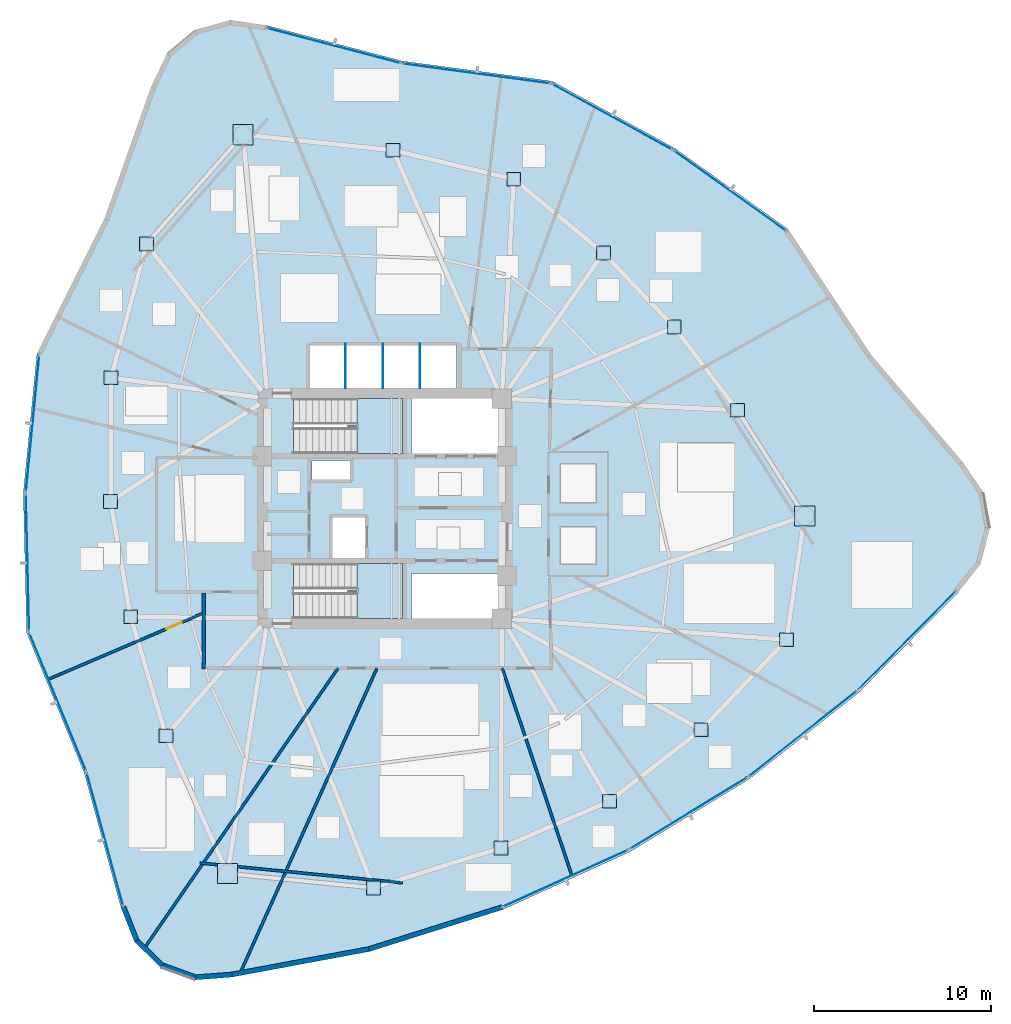
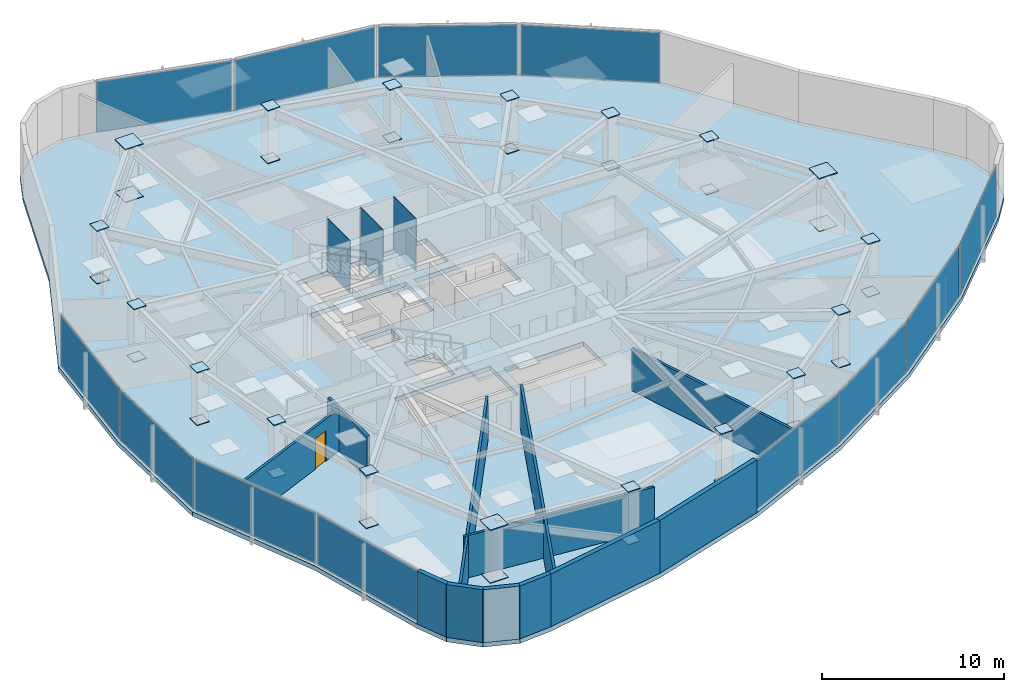
# One storey, part 10 of 17: 51 plates, 12 walls, 3 slabs, 1 door, 1 opening, 14 elements without a shape of their own.
"""IFC4 building model written with IfcOpenShell, lengths in metres."""

from ifc_helpers import new_model, si_unit, direction, frame, frame_2d, origin, origin_2d, place, context, subcontext, project, spatial, polyline, rectangle, outline, extrude, source, transform, mapped, material, layer, layer_set, type_object, type_shapes, element, fill, aggregate, save


model = new_model("IFC4")

# Units and contexts
model_context = context("Model", 3, precision=1e-05, world=origin(), true_north=direction((0.0, 1.0)))
body_context = subcontext(model_context, "Body", "Model", "MODEL_VIEW")
ifc_project = project(units=[si_unit("LENGTHUNIT", "METRE"), si_unit("AREAUNIT", "SQUARE_METRE"), si_unit("VOLUMEUNIT", "CUBIC_METRE"), si_unit("PLANEANGLEUNIT", "RADIAN"), si_unit("MASSUNIT", "GRAM", prefix="KILO")], contexts=[model_context])

# Site, building, storey
site_placement = place(None, origin())
site = spatial("IfcSite", under=ifc_project, at=site_placement, CompositionType="ELEMENT")
building_placement = place(site_placement, origin())
building = spatial("IfcBuilding", under=site, at=building_placement, Name="Tavelor Broadcast Tower", CompositionType="ELEMENT")
storey_placement = place(building_placement, frame((0.0, 0.0, 150.25)))
storey = spatial("IfcBuildingStorey", under=building, at=storey_placement, Name="L35", CompositionType="ELEMENT", Elevation=150.25)

# Stair, slab
ifc_material_1 = material(Name="Concrete C40/50", Category="concrete")
stair_type = type_object("IfcStairType", Name="Reinforced Concrete Protected Dogleg Stair 1450 mm", PredefinedType="HALF_TURN_STAIR", material=ifc_material_1)
stair_1_placement = place(storey_placement, origin())
stair_1 = element("IfcStair", 1, at=stair_1_placement, inside=storey, type_object=stair_type, Name="L35 Protected Core Exit Stair ST1", PredefinedType="HALF_TURN_STAIR")
ifc_layer_1 = layer(ifc_material_1, 0.199951171875)
ifc_layer_set_1 = layer_set([ifc_layer_1], Name="Concrete C40/50")
slab_type_1 = type_object("IfcSlabType", Name="Reinforced Concrete Stair Half-Landing Slab 200 mm", PredefinedType="LANDING", material=ifc_layer_set_1)
slab_1_placement = place(storey_placement, frame((0.0, 0.0, 1.72509765625)))
slab_1 = element("IfcSlab", 2, at=slab_1_placement, type_object=slab_type_1, Name="ST1 landing 1", PredefinedType="LANDING", context=body_context, shape_type="SweptSolid", body=[
    extrude(outline(polyline([(48.445068359375, 49.590087890625), (48.445068359375, 48.094970703125), (51.0048828125, 48.094970703125), (51.0048828125, 51.205078125), (48.445068359375, 51.205078125), (48.445068359375, 49.7099609375), (47.905029296875, 49.7099609375), (47.905029296875, 49.590087890625), (48.445068359375, 49.590087890625)])), origin(), (0.0, 0.0, 1.0), 0.199951171875),
])
aggregate(stair_1, [slab_1])

stair_2_placement = place(storey_placement, origin())
stair_2 = element("IfcStair", 3, at=stair_2_placement, inside=storey, type_object=stair_type, Name="L35 Protected Core Exit Stair ST2", PredefinedType="HALF_TURN_STAIR")
slab_2_placement = place(storey_placement, frame((0.0, 0.0, 1.72509765625)))
slab_2 = element("IfcSlab", 4, at=slab_2_placement, type_object=slab_type_1, Name="ST2 landing 1", PredefinedType="LANDING", context=body_context, shape_type="SweptSolid", body=[
    extrude(outline(polyline([(48.445068359375, 40.2900390625), (48.445068359375, 38.794921875), (51.0048828125, 38.794921875), (51.0048828125, 41.905029296875), (48.445068359375, 41.905029296875), (48.445068359375, 40.409912109375), (47.905029296875, 40.409912109375), (47.905029296875, 40.2900390625), (48.445068359375, 40.2900390625)])), origin(), (0.0, 0.0, 1.0), 0.199951171875),
])
aggregate(stair_2, [slab_2])

# Slab
ifc_layer_2 = layer(ifc_material_1, 0.300048828125)
ifc_layer_set_2 = layer_set([ifc_layer_2], Name="Concrete C40/50")
slab_type_2 = type_object("IfcSlabType", Name="Tower Composite Floor Slab 300 mm", PredefinedType="FLOOR", material=ifc_layer_set_2)
slab_3_placement = place(storey_placement, frame((0.0, 0.0, -0.300048828125)))
element("IfcSlab", 5, at=slab_3_placement, inside=storey, type_object=slab_type_2, Name="L35 Structural Floor Slab", PredefinedType="FLOOR", context=body_context, shape_type="SweptSolid", body=[
    extrude(outline(polyline([(43.35595703125, 72.23681640625), (41.307373046875, 72.544921875), (39.3134765625, 71.982666015625), (37.7275390625, 70.649658203125), (36.830810546875, 68.781982421875), (34.20166015625, 61.347900390625), (30.39306640625, 53.72705078125), (29.626953125, 45.879150390625), (29.816162109375, 37.995849609375), (33.056396484375, 30.11669921875), (35.134033203125, 22.510009765625), (35.8916015625, 20.581787109375), (37.375732421875, 19.13623046875), (39.322998046875, 18.42919921875), (41.388671875, 18.58642578125), (49.1416015625, 20.026611328125), (56.6630859375, 22.394287109375), (63.842529296875, 25.655029296875), (70.574951171875, 29.760498046875), (76.760986328125, 34.650390625), (82.309814453125, 40.253173828125), (83.600830078125, 41.873291015625), (84.11083984375, 43.881103515625), (83.74951171875, 45.921142578125), (82.580322265625, 47.631591796875), (77.456787109375, 53.62548828125), (72.761474609375, 60.734375), (66.347900390625, 65.32177734375), (59.42626953125, 69.099609375), (50.982421875, 70.23291015625), (43.35595703125, 72.23681640625)]), holes=[polyline([(56.60009765625, 41.35009765625), (56.60009765625, 38.800048828125), (51.52001953125, 38.800048828125), (51.52001953125, 41.35009765625), (56.60009765625, 41.35009765625)]), polyline([(50.99609375, 38.803955078125), (44.85400390625, 38.803955078125), (44.85400390625, 41.89599609375), (50.99609375, 41.89599609375), (50.99609375, 38.803955078125)]), polyline([(47.050048828125, 42.199951171875), (47.050048828125, 44.550048828125), (48.949951171875, 44.550048828125), (48.949951171875, 42.199951171875), (47.050048828125, 42.199951171875)]), polyline([(48.050048828125, 46.64990234375), (45.89990234375, 46.64990234375), (45.89990234375, 47.699951171875), (48.050048828125, 47.699951171875), (48.050048828125, 46.64990234375)]), polyline([(50.99609375, 48.10400390625), (44.85400390625, 48.10400390625), (44.85400390625, 51.196044921875), (50.99609375, 51.196044921875), (50.99609375, 48.10400390625)]), polyline([(56.60009765625, 48.10009765625), (51.52001953125, 48.10009765625), (51.52001953125, 51.199951171875), (56.60009765625, 51.199951171875), (56.60009765625, 48.10009765625)]), polyline([(54.050048828125, 51.800048828125), (45.800048828125, 51.800048828125), (45.800048828125, 54.25), (54.050048828125, 54.25), (54.050048828125, 51.800048828125)])]), origin(), (0.0, 0.0, 1.0), 0.300048828125),
])

# Plates
ifc_material_2 = material(Name="Steel S460", Category="steel")
ifc_layer_3 = layer(ifc_material_2, 0.050048828125)
ifc_layer_set_3 = layer_set([ifc_layer_3], Name="Steel S460")
plate_type_1 = type_object("IfcPlateType", Name="Tube Hollow-End Cap Plate KN05 700x700x50", PredefinedType="USERDEFINED", material=ifc_layer_set_3)
shared_shape_1 = source(origin(), body_context, "Body", "SweptSolid", [
    extrude(rectangle(XDim=1.14697265625, YDim=1.14697265625, at=origin_2d()), origin(), (0.0, 0.0, 1.0), 0.054931640625),
])
for number, where, z_axis, x_axis, name in (
    (6, (42.01123046875, 66.080078125, -0.02734375), (0.0, 0.0, 1.0), (1.0, 0.0, 0.0), "L35 Hollow End Cap Plate KN05 #999"),
    (7, (42.01123046875, 66.080078125, 3.5224609375), (0.0, 0.0, 1.0), (1.0, 0.0, 0.0), "L35 Hollow End Cap Plate KN05 #1000"),
    (8, (41.138671875, 24.423828125, -0.02734375), (0.0, 0.0, 1.0), (1.0, 0.0, 0.0), "L35 Hollow End Cap Plate KN05 #1011"),
    (9, (41.138671875, 24.423828125, 3.5224609375), (0.0, 0.0, 1.0), (1.0, 0.0, 0.0), "L35 Hollow End Cap Plate KN05 #1012"),
    (10, (73.676025390625, 44.57958984375, -0.02734375), (0.0, 0.0, 1.0), (1.0, 0.0, 0.0), "L35 Hollow End Cap Plate KN05 #1023"),
    (11, (73.676025390625, 44.57958984375, 3.5224609375), (0.0, 0.0, 1.0), (1.0, 0.0, 0.0), "L35 Hollow End Cap Plate KN05 #1024"),
):
    element("IfcPlate", number, at=place(storey_placement, frame(where, z_axis=z_axis, x_axis=x_axis)), inside=storey, type_object=plate_type_1, Name=name, ObjectType="CAP PLATE", PredefinedType="USERDEFINED", context=body_context, shape_type="MappedRepresentation", body=[
        mapped(shared_shape_1, transform((0.0, 0.0, 0.0), scale=1.0)),
    ])
shared_shape_2 = source(origin(), body_context, "Body", "SweptSolid", [
    extrude(rectangle(XDim=0.780029296875, YDim=0.780029296875, at=origin_2d()), origin(), (0.0, 0.0, 1.0), 0.054931640625),
])
type_shapes(plate_type_1, [shared_shape_1, shared_shape_2])
for number, where, z_axis, x_axis, name in (
    (12, (36.567626953125, 59.91064453125, -0.02734375), (0.0, 0.0, 1.0), (1.0, 0.0, 0.0), "L35 Hollow End Cap Plate KN05 #1001"),
    (13, (36.567626953125, 59.91064453125, 3.5224609375), (0.0, 0.0, 1.0), (1.0, 0.0, 0.0), "L35 Hollow End Cap Plate KN05 #1002"),
    (14, (34.5751953125, 52.37939453125, -0.02734375), (0.0, 0.0, 1.0), (1.0, 0.0, 0.0), "L35 Hollow End Cap Plate KN05 #1003"),
    (15, (34.5751953125, 52.37939453125, 3.5224609375), (0.0, 0.0, 1.0), (1.0, 0.0, 0.0), "L35 Hollow End Cap Plate KN05 #1004"),
    (16, (34.54638671875, 45.399169921875, -0.02734375), (0.0, 0.0, 1.0), (1.0, 0.0, 0.0), "L35 Hollow End Cap Plate KN05 #1005"),
    (17, (34.54638671875, 45.399169921875, 3.5224609375), (0.0, 0.0, 1.0), (1.0, 0.0, 0.0), "L35 Hollow End Cap Plate KN05 #1006"),
    (18, (35.680908203125, 38.89990234375, -0.02734375), (0.0, 0.0, 1.0), (1.0, 0.0, 0.0), "L35 Hollow End Cap Plate KN05 #1007"),
    (19, (35.680908203125, 38.89990234375, 3.5224609375), (0.0, 0.0, 1.0), (1.0, 0.0, 0.0), "L35 Hollow End Cap Plate KN05 #1008"),
    (20, (37.668212890625, 32.1904296875, -0.02734375), (0.0, 0.0, 1.0), (1.0, 0.0, 0.0), "L35 Hollow End Cap Plate KN05 #1009"),
    (21, (37.668212890625, 32.1904296875, 3.5224609375), (0.0, 0.0, 1.0), (1.0, 0.0, 0.0), "L35 Hollow End Cap Plate KN05 #1010"),
    (22, (49.366455078125, 23.618896484375, -0.02734375), (0.0, 0.0, 1.0), (1.0, 0.0, 0.0), "L35 Hollow End Cap Plate KN05 #1013"),
    (23, (49.366455078125, 23.618896484375, 3.5224609375), (0.0, 0.0, 1.0), (1.0, 0.0, 0.0), "L35 Hollow End Cap Plate KN05 #1014"),
    (24, (56.56103515625, 25.872802734375, -0.02734375), (0.0, 0.0, 1.0), (1.0, 0.0, 0.0), "L35 Hollow End Cap Plate KN05 #1015"),
    (25, (56.56103515625, 25.872802734375, 3.5224609375), (0.0, 0.0, 1.0), (1.0, 0.0, 0.0), "L35 Hollow End Cap Plate KN05 #1016"),
    (26, (62.669189453125, 28.503173828125, -0.02734375), (0.0, 0.0, 1.0), (1.0, 0.0, 0.0), "L35 Hollow End Cap Plate KN05 #1017"),
    (27, (62.669189453125, 28.503173828125, 3.5224609375), (0.0, 0.0, 1.0), (1.0, 0.0, 0.0), "L35 Hollow End Cap Plate KN05 #1018"),
    (28, (67.84228515625, 32.53173828125, -0.02734375), (0.0, 0.0, 1.0), (1.0, 0.0, 0.0), "L35 Hollow End Cap Plate KN05 #1019"),
    (29, (67.84228515625, 32.53173828125, 3.5224609375), (0.0, 0.0, 1.0), (1.0, 0.0, 0.0), "L35 Hollow End Cap Plate KN05 #1020"),
    (30, (72.6591796875, 37.607421875, -0.02734375), (0.0, 0.0, 1.0), (1.0, 0.0, 0.0), "L35 Hollow End Cap Plate KN05 #1021"),
    (31, (72.6591796875, 37.607421875, 3.5224609375), (0.0, 0.0, 1.0), (1.0, 0.0, 0.0), "L35 Hollow End Cap Plate KN05 #1022"),
    (32, (69.885986328125, 50.544189453125, -0.02734375), (0.0, 0.0, 1.0), (1.0, 0.0, 0.0), "L35 Hollow End Cap Plate KN05 #1025"),
    (33, (69.885986328125, 50.544189453125, 3.5224609375), (0.0, 0.0, 1.0), (1.0, 0.0, 0.0), "L35 Hollow End Cap Plate KN05 #1026"),
    (34, (66.322021484375, 55.228759765625, -0.02734375), (0.0, 0.0, 1.0), (1.0, 0.0, 0.0), "L35 Hollow End Cap Plate KN05 #1027"),
    (35, (66.322021484375, 55.228759765625, 3.5224609375), (0.0, 0.0, 1.0), (1.0, 0.0, 0.0), "L35 Hollow End Cap Plate KN05 #1028"),
    (36, (62.330810546875, 59.416259765625, -0.02734375), (0.0, 0.0, 1.0), (1.0, 0.0, 0.0), "L35 Hollow End Cap Plate KN05 #1029"),
    (37, (62.330810546875, 59.416259765625, 3.5224609375), (0.0, 0.0, 1.0), (1.0, 0.0, 0.0), "L35 Hollow End Cap Plate KN05 #1030"),
    (38, (57.276611328125, 63.568359375, -0.02734375), (0.0, 0.0, 1.0), (1.0, 0.0, 0.0), "L35 Hollow End Cap Plate KN05 #1031"),
    (39, (57.276611328125, 63.568359375, 3.5224609375), (0.0, 0.0, 1.0), (1.0, 0.0, 0.0), "L35 Hollow End Cap Plate KN05 #1032"),
    (40, (50.472412109375, 65.2021484375, -0.02734375), (0.0, 0.0, 1.0), (1.0, 0.0, 0.0), "L35 Hollow End Cap Plate KN05 #1033"),
    (41, (50.472412109375, 65.2021484375, 3.5224609375), (0.0, 0.0, 1.0), (1.0, 0.0, 0.0), "L35 Hollow End Cap Plate KN05 #1034"),
):
    element("IfcPlate", number, at=place(storey_placement, frame(where, z_axis=z_axis, x_axis=x_axis)), inside=storey, type_object=plate_type_1, Name=name, ObjectType="CAP PLATE", PredefinedType="USERDEFINED", context=body_context, shape_type="MappedRepresentation", body=[
        mapped(shared_shape_2, transform((0.0, 0.0, 0.0), scale=1.0)),
    ])
ifc_material_3 = material(Name="Steel S355", Category="steel")
ifc_layer_4 = layer(ifc_material_3, 0.011962890625)
ifc_layer_set_4 = layer_set([ifc_layer_4], Name="Steel S355")
plate_type_2 = type_object("IfcPlateType", Name="Hoistway Steel Separator Screen 12 mm", PredefinedType="SHEET", material=ifc_layer_set_4)
shared_shape_3 = source(origin(), body_context, "Body", "SweptSolid", [
    extrude(rectangle(XDim=0.02001953125, YDim=2.52001953125, at=origin_2d()), origin(), (0.0, 0.0, 1.0), 3.550048828125),
])
type_shapes(plate_type_2, [shared_shape_3])
for number, where, z_axis, x_axis, name in (
    (42, (47.800048828125, 53.0400390625, 0.0), (0.0, 0.0, 1.0), (1.0, 0.0, 0.0), "L35 High-Rise Hoistway Separator Screen 1"),
    (43, (49.89990234375, 53.0400390625, 0.0), (0.0, 0.0, 1.0), (1.0, 0.0, 0.0), "L35 High-Rise Hoistway Separator Screen 2"),
    (44, (52.0, 53.0400390625, 0.0), (0.0, 0.0, 1.0), (1.0, 0.0, 0.0), "L35 High-Rise Hoistway Separator Screen 3"),
):
    element("IfcPlate", number, at=place(storey_placement, frame(where, z_axis=z_axis, x_axis=x_axis)), inside=storey, type_object=plate_type_2, Name=name, PredefinedType="SHEET", context=body_context, shape_type="MappedRepresentation", body=[
        mapped(shared_shape_3, transform((0.0, 0.0, 0.0), scale=1.0)),
    ])

# Curtain wall, plate
ifc_material_4 = material(Name="Architectural Anodized Aluminium", Category="aluminium")
ifc_layer_5 = layer(ifc_material_4, 0.18994140625)
ifc_layer_set_5 = layer_set([ifc_layer_5], Name="Architectural Anodized Aluminium")
curtain_wall_type = type_object("IfcCurtainWallType", Name="Tower Mid-Zone Acoustic Curtain Wall CW03", PredefinedType="NOTDEFINED", material=ifc_layer_set_5)
curtain_wall_1_placement = place(storey_placement, origin())
curtain_wall_1 = element("IfcCurtainWall", 45, at=curtain_wall_1_placement, inside=storey, type_object=curtain_wall_type, Name="L35 Curtain Wall CW03 Run 364", PredefinedType="NOTDEFINED")
ifc_material_5 = material(Name="Solar Control Double Glazing 30 mm", Category="glass")
ifc_layer_6 = layer(ifc_material_5, 0.030029296875)
ifc_layer_set_6 = layer_set([ifc_layer_6], Name="Solar Control Double Glazing 30 mm")
plate_type_3 = type_object("IfcPlateType", Name="CW03 Insulated Vision Glazing Panel 30 mm", PredefinedType="CURTAIN_PANEL", material=ifc_layer_set_6)
shared_shape_4 = source(origin(), body_context, "Body", "SweptSolid", [
    extrude(rectangle(XDim=7.7353515625, YDim=0.030029296875, at=origin_2d()), origin(), (0.0, 0.0, 1.0), 3.4140625),
])
plate_1_placement = place(storey_placement, frame((34.230224609375, 26.350830078125, 0.06787109375), z_axis=(0.0, 0.0, 1.0), x_axis=(0.263483950228, -0.964663779756, 0.0)))
plate_1 = element("IfcPlate", 46, at=plate_1_placement, type_object=plate_type_3, Name="CW03 panel 1.1", PredefinedType="CURTAIN_PANEL", context=body_context, shape_type="MappedRepresentation", body=[
    mapped(shared_shape_4, transform((0.0, 0.0, 0.0), scale=1.0)),
])
aggregate(curtain_wall_1, [plate_1])

curtain_wall_2_placement = place(storey_placement, origin())
curtain_wall_2 = element("IfcCurtainWall", 47, at=curtain_wall_2_placement, inside=storey, type_object=curtain_wall_type, Name="L35 Curtain Wall CW03 Run 361", PredefinedType="NOTDEFINED")
shared_shape_5 = source(origin(), body_context, "Body", "SweptSolid", [
    extrude(rectangle(XDim=7.699951171875, YDim=0.030029296875, at=origin_2d()), origin(), (0.0, 0.0, 1.0), 3.4140625),
])
plate_2_placement = place(storey_placement, frame((30.149169921875, 49.788330078125, 0.06787109375), z_axis=(0.0, 0.0, 1.0), x_axis=(-0.097155771729, -0.995269187717, 0.0)))
plate_2 = element("IfcPlate", 48, at=plate_2_placement, type_object=plate_type_3, Name="CW03 panel 1.1", PredefinedType="CURTAIN_PANEL", context=body_context, shape_type="MappedRepresentation", body=[
    mapped(shared_shape_5, transform((0.0, 0.0, 0.0), scale=1.0)),
])
aggregate(curtain_wall_2, [plate_2])

curtain_wall_3_placement = place(storey_placement, origin())
curtain_wall_3 = element("IfcCurtainWall", 49, at=curtain_wall_3_placement, inside=storey, type_object=curtain_wall_type, Name="L35 Curtain Wall CW03 Run 369", PredefinedType="NOTDEFINED")
plate_3_placement = place(storey_placement, frame((69.47216796875, 62.914794921875, 0.06787109375), z_axis=(0.0, 0.0, 1.0), x_axis=(-0.813344400713, 0.581782507324, 0.0)))
plate_3 = element("IfcPlate", 50, at=plate_3_placement, type_object=plate_type_3, Name="CW03 panel 1.1", PredefinedType="CURTAIN_PANEL", context=body_context, shape_type="MappedRepresentation", body=[
    mapped(shared_shape_5, transform((0.0, 0.0, 0.0), scale=1.0)),
])
aggregate(curtain_wall_3, [plate_3])

curtain_wall_4_placement = place(storey_placement, origin())
curtain_wall_4 = element("IfcCurtainWall", 51, at=curtain_wall_4_placement, inside=storey, type_object=curtain_wall_type, Name="L35 Curtain Wall CW03 Run 362", PredefinedType="NOTDEFINED")
shared_shape_6 = source(origin(), body_context, "Body", "SweptSolid", [
    extrude(rectangle(XDim=7.68505859375, YDim=0.030029296875, at=origin_2d()), origin(), (0.0, 0.0, 1.0), 3.4140625),
])
plate_4_placement = place(storey_placement, frame((29.861328125, 41.94970703125, 0.06787109375), z_axis=(0.0, 0.0, 1.0), x_axis=(0.023999326968, -0.999711974673, 0.0)))
plate_4 = element("IfcPlate", 52, at=plate_4_placement, type_object=plate_type_3, Name="CW03 panel 1.1", PredefinedType="CURTAIN_PANEL", context=body_context, shape_type="MappedRepresentation", body=[
    mapped(shared_shape_6, transform((0.0, 0.0, 0.0), scale=1.0)),
])
aggregate(curtain_wall_4, [plate_4])

curtain_wall_5_placement = place(storey_placement, origin())
curtain_wall_5 = element("IfcCurtainWall", 53, at=curtain_wall_5_placement, inside=storey, type_object=curtain_wall_type, Name="L35 Curtain Wall CW03 Run 363", PredefinedType="NOTDEFINED")
shared_shape_7 = source(origin(), body_context, "Body", "SweptSolid", [
    extrude(rectangle(XDim=8.336181640625, YDim=0.030029296875, at=origin_2d()), origin(), (0.0, 0.0, 1.0), 3.4140625),
])
plate_5_placement = place(storey_placement, frame((31.572265625, 34.093505859375, 0.06787109375), z_axis=(0.0, 0.0, 1.0), x_axis=(0.380357960877, -0.924839349075, 0.0)))
plate_5 = element("IfcPlate", 54, at=plate_5_placement, type_object=plate_type_3, Name="CW03 panel 1.1", PredefinedType="CURTAIN_PANEL", context=body_context, shape_type="MappedRepresentation", body=[
    mapped(shared_shape_7, transform((0.0, 0.0, 0.0), scale=1.0)),
])
aggregate(curtain_wall_5, [plate_5])

curtain_wall_6_placement = place(storey_placement, origin())
curtain_wall_6 = element("IfcCurtainWall", 55, at=curtain_wall_6_placement, inside=storey, type_object=curtain_wall_type, Name="L35 Curtain Wall CW03 Run 371", PredefinedType="NOTDEFINED")
plate_6_placement = place(storey_placement, frame((55.168701171875, 69.52978515625, 0.06787109375), z_axis=(0.0, 0.0, 1.0), x_axis=(-0.991113105338, 0.133021849436, 0.0)))
plate_6 = element("IfcPlate", 56, at=plate_6_placement, type_object=plate_type_3, Name="CW03 panel 1.1", PredefinedType="CURTAIN_PANEL", context=body_context, shape_type="MappedRepresentation", body=[
    mapped(shared_shape_7, transform((0.0, 0.0, 0.0), scale=1.0)),
])
aggregate(curtain_wall_6, [plate_6])

curtain_wall_7_placement = place(storey_placement, origin())
curtain_wall_7 = element("IfcCurtainWall", 57, at=curtain_wall_7_placement, inside=storey, type_object=curtain_wall_type, Name="L35 Curtain Wall CW03 Run 365", PredefinedType="NOTDEFINED")
shared_shape_8 = source(origin(), body_context, "Body", "SweptSolid", [
    extrude(rectangle(XDim=7.71728515625, YDim=0.030029296875, at=origin_2d()), origin(), (0.0, 0.0, 1.0), 3.4140625),
])
plate_7_placement = place(storey_placement, frame((60.18798828125, 24.149169921875, 0.06787109375), z_axis=(0.0, 0.0, 1.0), x_axis=(0.910499870775, 0.413509353363, 0.0)))
plate_7 = element("IfcPlate", 58, at=plate_7_placement, type_object=plate_type_3, Name="CW03 panel 1.1", PredefinedType="CURTAIN_PANEL", context=body_context, shape_type="MappedRepresentation", body=[
    mapped(shared_shape_8, transform((0.0, 0.0, 0.0), scale=1.0)),
])
aggregate(curtain_wall_7, [plate_7])

curtain_wall_8_placement = place(storey_placement, origin())
curtain_wall_8 = element("IfcCurtainWall", 59, at=curtain_wall_8_placement, inside=storey, type_object=curtain_wall_type, Name="L35 Curtain Wall CW03 Run 366", PredefinedType="NOTDEFINED")
shared_shape_9 = source(origin(), body_context, "Body", "SweptSolid", [
    extrude(rectangle(XDim=7.702392578125, YDim=0.030029296875, at=origin_2d()), origin(), (0.0, 0.0, 1.0), 3.4140625),
])
plate_8_placement = place(storey_placement, frame((67.135986328125, 27.827392578125, 0.06787109375), z_axis=(0.0, 0.0, 1.0), x_axis=(0.853774045361, 0.520643716439, 0.0)))
plate_8 = element("IfcPlate", 60, at=plate_8_placement, type_object=plate_type_3, Name="CW03 panel 1.1", PredefinedType="CURTAIN_PANEL", context=body_context, shape_type="MappedRepresentation", body=[
    mapped(shared_shape_9, transform((0.0, 0.0, 0.0), scale=1.0)),
])
aggregate(curtain_wall_8, [plate_8])

curtain_wall_9_placement = place(storey_placement, origin())
curtain_wall_9 = element("IfcCurtainWall", 61, at=curtain_wall_9_placement, inside=storey, type_object=curtain_wall_type, Name="L35 Curtain Wall CW03 Run 367", PredefinedType="NOTDEFINED")
plate_9_placement = place(storey_placement, frame((73.5810546875, 32.3154296875, 0.06787109375), z_axis=(0.0, 0.0, 1.0), x_axis=(0.784488770349, 0.620143023178, 0.0)))
plate_9 = element("IfcPlate", 62, at=plate_9_placement, type_object=plate_type_3, Name="CW03 panel 1.1", PredefinedType="CURTAIN_PANEL", context=body_context, shape_type="MappedRepresentation", body=[
    mapped(shared_shape_9, transform((0.0, 0.0, 0.0), scale=1.0)),
])
aggregate(curtain_wall_9, [plate_9])

curtain_wall_10_placement = place(storey_placement, origin())
curtain_wall_10 = element("IfcCurtainWall", 63, at=curtain_wall_10_placement, inside=storey, type_object=curtain_wall_type, Name="L35 Curtain Wall CW03 Run 368", PredefinedType="NOTDEFINED")
shared_shape_10 = source(origin(), body_context, "Body", "SweptSolid", [
    extrude(rectangle(XDim=7.71826171875, YDim=0.030029296875, at=origin_2d()), origin(), (0.0, 0.0, 1.0), 3.4140625),
])
plate_10_placement = place(storey_placement, frame((79.441650390625, 37.555908203125, 0.06787109375), z_axis=(0.0, 0.0, 1.0), x_axis=(0.703686426964, 0.710510670227, 0.0)))
plate_10 = element("IfcPlate", 64, at=plate_10_placement, type_object=plate_type_3, Name="CW03 panel 1.1", PredefinedType="CURTAIN_PANEL", context=body_context, shape_type="MappedRepresentation", body=[
    mapped(shared_shape_10, transform((0.0, 0.0, 0.0), scale=1.0)),
])
aggregate(curtain_wall_10, [plate_10])

curtain_wall_11_placement = place(storey_placement, origin())
curtain_wall_11 = element("IfcCurtainWall", 65, at=curtain_wall_11_placement, inside=storey, type_object=curtain_wall_type, Name="L35 Curtain Wall CW03 Run 370", PredefinedType="NOTDEFINED")
shared_shape_11 = source(origin(), body_context, "Body", "SweptSolid", [
    extrude(rectangle(XDim=7.684814453125, YDim=0.030029296875, at=origin_2d()), origin(), (0.0, 0.0, 1.0), 3.4140625),
])
plate_11_placement = place(storey_placement, frame((62.82763671875, 67.08349609375, 0.06787109375), z_axis=(0.0, 0.0, 1.0), x_axis=(-0.877774360707, 0.479074286186, 0.0)))
plate_11 = element("IfcPlate", 66, at=plate_11_placement, type_object=plate_type_3, Name="CW03 panel 1.1", PredefinedType="CURTAIN_PANEL", context=body_context, shape_type="MappedRepresentation", body=[
    mapped(shared_shape_11, transform((0.0, 0.0, 0.0), scale=1.0)),
])
aggregate(curtain_wall_11, [plate_11])

curtain_wall_12_placement = place(storey_placement, origin())
curtain_wall_12 = element("IfcCurtainWall", 67, at=curtain_wall_12_placement, inside=storey, type_object=curtain_wall_type, Name="L35 Curtain Wall CW03 Run 372", PredefinedType="NOTDEFINED")
shared_shape_12 = source(origin(), body_context, "Body", "SweptSolid", [
    extrude(rectangle(XDim=7.735595703125, YDim=0.030029296875, at=origin_2d()), origin(), (0.0, 0.0, 1.0), 3.4140625),
])
type_shapes(plate_type_3, [shared_shape_4, shared_shape_5, shared_shape_6, shared_shape_7, shared_shape_8, shared_shape_9, shared_shape_10, shared_shape_11, shared_shape_12])
plate_12_placement = place(storey_placement, frame((47.13427734375, 71.099365234375, 0.06787109375), z_axis=(0.0, 0.0, 1.0), x_axis=(-0.96716268377, 0.254158106544, 0.0)))
plate_12 = element("IfcPlate", 68, at=plate_12_placement, type_object=plate_type_3, Name="CW03 panel 1.1", PredefinedType="CURTAIN_PANEL", context=body_context, shape_type="MappedRepresentation", body=[
    mapped(shared_shape_12, transform((0.0, 0.0, 0.0), scale=1.0)),
])
aggregate(curtain_wall_12, [plate_12])

# Walls
ifc_material_6 = material(Name="Calcium Silicate Fire Board 180 mm", Category="gypsum")
ifc_layer_7 = layer(ifc_material_6, 0.179931640625)
ifc_layer_set_7 = layer_set([ifc_layer_7], Name="Calcium Silicate Fire Board 180 mm")
wall_type_1 = type_object("IfcWallType", Name="Fire-Rated Corridor Partition Wall 180 mm", PredefinedType="PARTITIONING", material=ifc_layer_set_7)
wall_1_placement = place(storey_placement, frame((39.800048828125, 35.949951171875, 0.0), z_axis=(0.0, 0.0, 1.0), x_axis=(0.0, 1.0, 0.0)))
element("IfcWall", 69, at=wall_1_placement, inside=storey, type_object=wall_type_1, Name="L35 Corridor Compartment Wall 05", PredefinedType="PARTITIONING", context=body_context, shape_type="SweptSolid", body=[
    extrude(rectangle(XDim=4.300048828125, YDim=0.179931640625, at=frame_2d((2.14990234375, 0.0))), origin(), (0.0, 0.0, 1.0), 2.8349609375),
])
ifc_material_7 = material(Name="Precast Concrete C40/50", Category="concrete")
ifc_layer_8 = layer(ifc_material_7, 0.280029296875)
ifc_layer_set_8 = layer_set([ifc_layer_8], Name="Precast Concrete C40/50")
wall_type_2 = type_object("IfcWallType", Name="Insulated Precast Terracotta Facade Wall 280 mm", PredefinedType="STANDARD", material=ifc_layer_set_8)
wall_2_placement = place(storey_placement, frame((35.265625, 22.557861328125, 0.0), z_axis=(0.0, 0.0, 1.0), x_axis=(0.365806901476, -0.93069077079, 0.0)))
element("IfcWall", 70, at=wall_2_placement, inside=storey, type_object=wall_type_2, Name="L35 Rounded Corner Structural Cladding Pier 11", PredefinedType="STANDARD", context=body_context, shape_type="SweptSolid", body=[
    extrude(rectangle(XDim=2.052978515625, YDim=0.280029296875, at=frame_2d((1.0263671875, 0.0))), origin(), (0.0, 0.0, 1.0), 3.550048828125),
])
for number, where, z_axis, x_axis, name in (
    (71, (36.000244140625, 20.67138671875, 0.0), (0.0, 0.0, 1.0), (0.716315424151, -0.697776621222, 0.0), "L35 Rounded Corner Structural Cladding Pier 12"),
    (72, (37.437744140625, 19.2626953125, 0.0), (0.0, 0.0, 1.0), (0.939978368377, -0.341234035498, 0.0), "L35 Rounded Corner Structural Cladding Pier 13"),
):
    element("IfcWall", number, at=place(storey_placement, frame(where, z_axis=z_axis, x_axis=x_axis)), inside=storey, type_object=wall_type_2, Name=name, PredefinedType="STANDARD", context=body_context, shape_type="SweptSolid", body=[
        extrude(rectangle(XDim=2.041259765625, YDim=0.280029296875, at=frame_2d((1.0205078125, 0.0))), origin(), (0.0, 0.0, 1.0), 3.550048828125),
    ])
wall_3_placement = place(storey_placement, frame((39.327392578125, 18.570068359375, 0.0), z_axis=(0.0, 0.0, 1.0), x_axis=(0.997112640965, 0.07593669223, 0.0)))
element("IfcWall", 73, at=wall_3_placement, inside=storey, type_object=wall_type_2, Name="L35 Rounded Corner Structural Cladding Pier 14", PredefinedType="STANDARD", context=body_context, shape_type="SweptSolid", body=[
    extrude(rectangle(XDim=2.06396484375, YDim=0.280029296875, at=frame_2d((1.031982421875, 0.0))), origin(), (0.0, 0.0, 1.0), 3.550048828125),
])
wall_4_placement = place(storey_placement, frame((41.355712890625, 18.722900390625, 0.0), z_axis=(0.0, 0.0, 1.0), x_axis=(0.98318287019, 0.182623776561, 0.0)))
element("IfcWall", 74, at=wall_4_placement, inside=storey, type_object=wall_type_2, Name="L35 Rounded Corner Structural Cladding Pier 15", PredefinedType="STANDARD", context=body_context, shape_type="SweptSolid", body=[
    extrude(rectangle(XDim=7.8994140625, YDim=0.280029296875, at=frame_2d((3.94970703125, 0.0))), origin(), (0.0, 0.0, 1.0), 3.550048828125),
])
wall_5_placement = place(storey_placement, frame((49.09326171875, 20.158203125, 0.0), z_axis=(0.0, 0.0, 1.0), x_axis=(0.95385220597, 0.300276487867, 0.0)))
element("IfcWall", 75, at=wall_5_placement, inside=storey, type_object=wall_type_2, Name="L35 Rounded Corner Structural Cladding Pier 16", PredefinedType="STANDARD", context=body_context, shape_type="SweptSolid", body=[
    extrude(rectangle(XDim=7.887451171875, YDim=0.280029296875, at=frame_2d((3.94384765625, 0.0))), origin(), (0.0, 0.0, 1.0), 3.550048828125),
])
ifc_material_8 = material(Name="Gypsum Acoustic Plasterboard 150 mm", Category="gypsum")
ifc_layer_9 = layer(ifc_material_8, 0.14990234375)
ifc_layer_set_9 = layer_set([ifc_layer_9], Name="Gypsum Acoustic Plasterboard 150 mm")
wall_type_3 = type_object("IfcWallType", Name="Interior Acoustic Partition Wall 150 mm", PredefinedType="PARTITIONING", material=ifc_layer_set_9)
wall_6_placement = place(storey_placement, frame((39.589111328125, 25.017578125, 0.0), z_axis=(0.0, 0.0, 1.0), x_axis=(0.99524905582, -0.097361783517, 0.0)))
element("IfcWall", 76, at=wall_6_placement, inside=storey, type_object=wall_type_3, Name="L35 Corner Tube Brace Furring Wall 2", PredefinedType="PARTITIONING", context=body_context, shape_type="SweptSolid", body=[
    extrude(rectangle(XDim=11.467041015625, YDim=0.14990234375, at=frame_2d((5.7333984375, 0.0))), origin(), (0.0, 0.0, 1.0), 2.8349609375),
])

# Wall, opening, door
wall_7_placement = place(storey_placement, frame((39.800048828125, 39.1142578125, 0.0), z_axis=(0.0, 0.0, 1.0), x_axis=(-0.919828711425, -0.392320202945, 0.0)))
wall_7 = element("IfcWall", 77, at=wall_7_placement, inside=storey, type_object=wall_type_3, Name="L35 Radial Compartment Wall 07", PredefinedType="PARTITIONING", context=body_context, shape_type="SweptSolid", body=[
    extrude(rectangle(XDim=9.52978515625, YDim=0.14990234375, at=frame_2d((4.764892578125, 0.0))), origin(), (0.0, 0.0, 1.0), 2.8349609375),
])
opening_placement = place(wall_7_placement, frame((1.35009765625, 0.0, 0.0)))
opening = element("IfcOpeningElement", 78, at=opening_placement, cuts=wall_7, Name="Opening DR18", PredefinedType="OPENING", context=body_context, shape_type="SweptSolid", body=[
    extrude(rectangle(XDim=0.949951171875, YDim=2.050048828125, at=frame_2d((0.47509765625, 1.02490234375))), frame((0.0, 0.0849609375, 0.0), z_axis=(0.0, -1.0, 0.0), x_axis=(1.0, 0.0, 0.0)), (0.0, 0.0, 1.0), 0.169921875),
])
ifc_material_9 = material(Name="Timber Solid Core Hardwood", Category="wood")
door_type = type_object("IfcDoorType", Name="Corridor Rated Compartment Door 950x2050", OperationType="NOTDEFINED", PredefinedType="DOOR", material=ifc_material_9)
door_placement = place(opening_placement, origin())
door = element("IfcDoor", 79, at=door_placement, inside=storey, type_object=door_type, Name="L35 Suite Connecting Door 7", OperationType="SINGLE_SWING_LEFT", OverallHeight=2.050048828125, OverallWidth=0.949951171875, PredefinedType="DOOR", context=body_context, shape_type="SweptSolid", body=[
    extrude(rectangle(XDim=0.949951171875, YDim=2.050048828125, at=frame_2d((0.47509765625, 1.02490234375))), frame((0.0, 0.02490234375, 0.0), z_axis=(0.0, -1.0, 0.0), x_axis=(1.0, 0.0, 0.0)), (0.0, 0.0, 1.0), 0.050048828125),
])
fill(opening, door)

# Walls
wall_8_placement = place(storey_placement, frame((47.372314453125, 36.0, 0.0), z_axis=(0.0, 0.0, 1.0), x_axis=(-0.56901614821, -0.82232634828, 0.0)))
element("IfcWall", 80, at=wall_8_placement, inside=storey, type_object=wall_type_3, Name="L35 Radial Compartment Wall 08", PredefinedType="PARTITIONING", context=body_context, shape_type="SweptSolid", body=[
    extrude(rectangle(XDim=19.192138671875, YDim=0.14990234375, at=frame_2d((9.59619140625, 0.0))), origin(), (0.0, 0.0, 1.0), 2.8349609375),
])
wall_9_placement = place(storey_placement, frame((49.563232421875, 36.0, 0.0), z_axis=(0.0, 0.0, 1.0), x_axis=(-0.409239647619, -0.912426934508, 0.0)))
element("IfcWall", 81, at=wall_9_placement, inside=storey, type_object=wall_type_3, Name="L35 Radial Compartment Wall 09", PredefinedType="PARTITIONING", context=body_context, shape_type="SweptSolid", body=[
    extrude(rectangle(XDim=18.845703125, YDim=0.14990234375, at=frame_2d((9.4228515625, 0.0))), origin(), (0.0, 0.0, 1.0), 2.8349609375),
])
wall_10_placement = place(storey_placement, frame((56.624755859375, 36.0, 0.0), z_axis=(0.0, 0.0, 1.0), x_axis=(0.318583516761, -0.947894795243, 0.0)))
element("IfcWall", 82, at=wall_10_placement, inside=storey, type_object=wall_type_3, Name="L35 Radial Compartment Wall 10", PredefinedType="PARTITIONING", context=body_context, shape_type="SweptSolid", body=[
    extrude(rectangle(XDim=12.337890625, YDim=0.14990234375, at=frame_2d((6.1689453125, 0.0))), origin(), (0.0, 0.0, 1.0), 2.8349609375),
])

save(model, "model.ifc")
